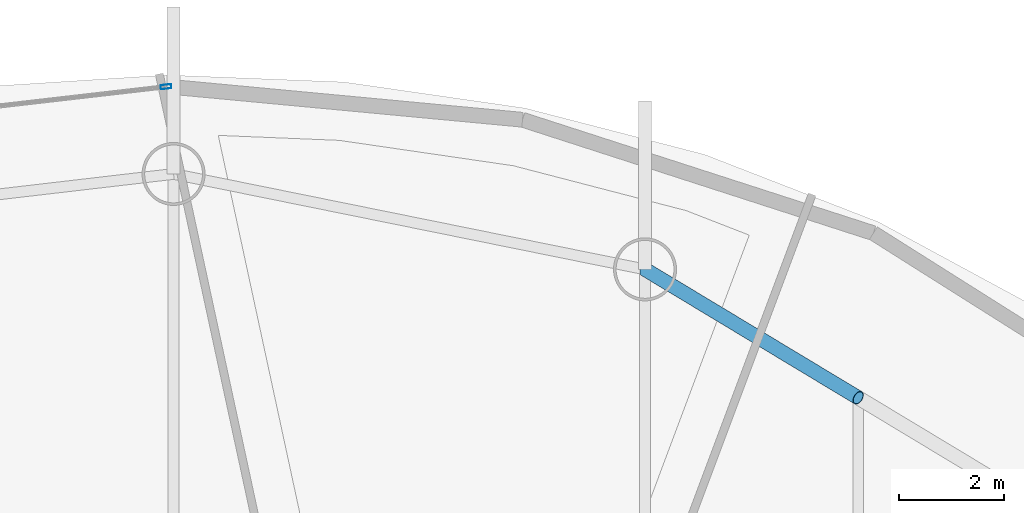
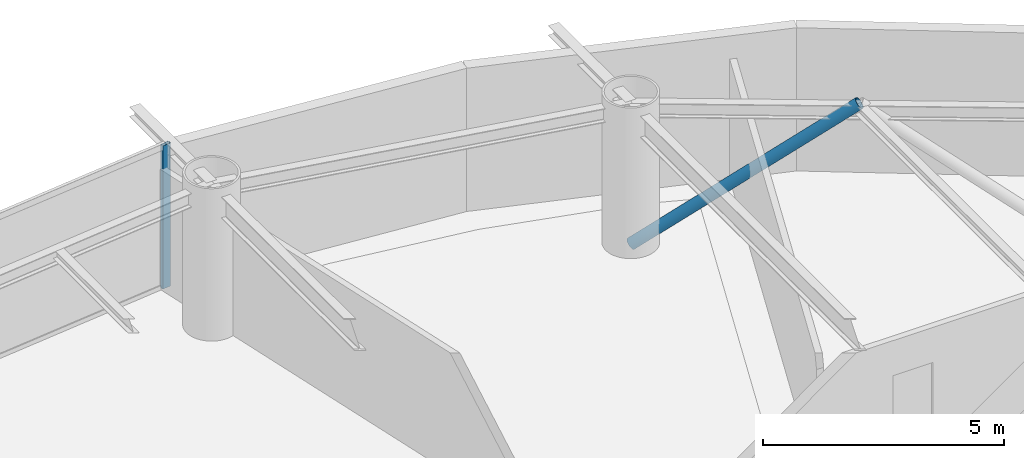
# One storey, part 13 of 22: 2 members, 1 element without a shape of its own.
"""IFC4 building model written with IfcOpenShell, lengths in metres."""

from ifc_helpers import new_model, si_unit, direction, frame, origin, origin_2d, place, context, subcontext, project, spatial, hollow_rectangle, hollow_circle, extrude, material, layer, layer_set, material_profile, profile_set, type_object, element, aggregate, save


model = new_model("IFC4")

# Units and contexts
model_context = context("Model", 3, precision=1e-05, world=origin(), true_north=direction((0.0, 1.0)))
body_context = subcontext(model_context, "Body", "Model", "MODEL_VIEW")
ifc_project = project(units=[si_unit("LENGTHUNIT", "METRE"), si_unit("AREAUNIT", "SQUARE_METRE"), si_unit("VOLUMEUNIT", "CUBIC_METRE"), si_unit("PLANEANGLEUNIT", "RADIAN"), si_unit("MASSUNIT", "GRAM", prefix="KILO")], contexts=[model_context])

# Site, building, storey
site_placement = place(None, origin())
site = spatial("IfcSite", under=ifc_project, at=site_placement, CompositionType="ELEMENT")
building_placement = place(site_placement, origin())
building = spatial("IfcBuilding", under=site, at=building_placement, Name="Bramvorn Convention Spire", CompositionType="ELEMENT")
storey_placement = place(building_placement, frame((0.0, 0.0, 190.449951171875)))
storey = spatial("IfcBuildingStorey", under=building, at=storey_placement, Name="L48", CompositionType="ELEMENT", Elevation=190.449951171875)

# Curtain wall, member
ifc_material_1 = material(Name="Anodised Bronze Unitised Curtain Wall", Category="aluminium")
ifc_layer = layer(ifc_material_1, 0.179931640625)
ifc_layer_set = layer_set([ifc_layer], Name="Anodised Bronze Unitised Curtain Wall - CW-OFF-FRIT")
curtain_wall_type = type_object("IfcCurtainWallType", Name="CW-OFF-FRIT", PredefinedType="USERDEFINED", material=ifc_layer_set)
curtain_wall_placement = place(storey_placement, origin())
curtain_wall = element("IfcCurtainWall", 1, at=curtain_wall_placement, inside=storey, type_object=curtain_wall_type, Name="L48 fritted glass curtain wall 10", ObjectType="UNITISED CURTAIN WALL", PredefinedType="USERDEFINED")
ifc_material_2 = material(Name="Anodised Bronze Aluminium 6063-T6", Category="aluminium")
ifc_material_profile_1 = material_profile(ifc_material_2, hollow_rectangle(XDim=0.080078125, YDim=0.199951171875, WallThickness=0.00390625, InnerFilletRadius=0.0009765625, OuterFilletRadius=0.00390625, at=origin_2d()))
ifc_profile_set_1 = profile_set([ifc_material_profile_1], Name="Anodised Bronze Aluminium 6063-T6 - CWM80X200")
member_type_1 = type_object("IfcMemberType", Name="CW-MUL-180", PredefinedType="MULLION", material=ifc_profile_set_1)
member_1_placement = place(storey_placement, frame((33.272216796875, 48.24853515625, 0.0), z_axis=(0.0, 0.0, 1.0), x_axis=(-0.114560709165, 0.99341624907, 0.0)))
member_1 = element("IfcMember", 2, at=member_1_placement, type_object=member_type_1, Name="CW3 mullion 2", PredefinedType="MULLION", context=body_context, shape_type="SweptSolid", body=[
    extrude(hollow_rectangle(XDim=0.080078125, YDim=0.199951171875, WallThickness=0.00390625, InnerFilletRadius=0.0009765625, OuterFilletRadius=0.00390625, at=origin_2d()), origin(), (0.0, 0.0, 1.0), 3.6201171875),
])
aggregate(curtain_wall, [member_1])

# Member
ifc_material_3 = material(Name="Steel CSA G40.21 Grade 350 (350W)", Category="steel")
ifc_material_profile_2 = material_profile(ifc_material_3, hollow_circle(Radius=0.136474609375, WallThickness=0.0126953125, at=origin_2d()))
ifc_profile_set_2 = profile_set([ifc_material_profile_2], Name="Steel CSA G40.21 Grade 350 (350W) - CHS273X13")
member_type_2 = type_object("IfcMemberType", Name="MBR-CHS273X13", PredefinedType="BRACE", material=ifc_profile_set_2)
member_2_placement = place(storey_placement, frame((42.38916015625, 44.772216796875, 0.0), z_axis=(0.680515326129, -0.409947511238, 0.607323578443), x_axis=(0.516011266543, 0.856581795745, 0.0)))
element("IfcMember", 3, at=member_2_placement, inside=storey, type_object=member_type_2, Name="L48 perimeter Gothic lancet brace 5B", PredefinedType="BRACE", context=body_context, shape_type="SweptSolid", body=[
    extrude(hollow_circle(Radius=0.136474609375, WallThickness=0.0126953125, at=origin_2d()), origin(), (0.0, 0.0, 1.0), 5.960693359375),
])

save(model, "model.ifc")
